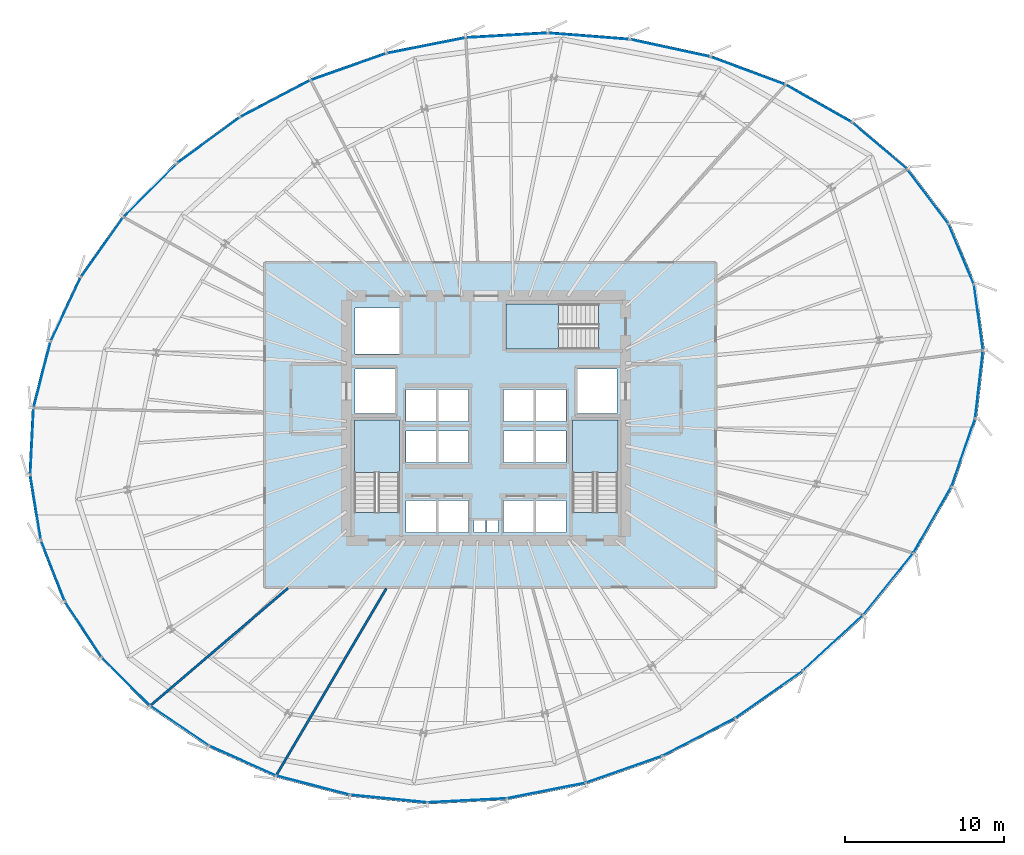
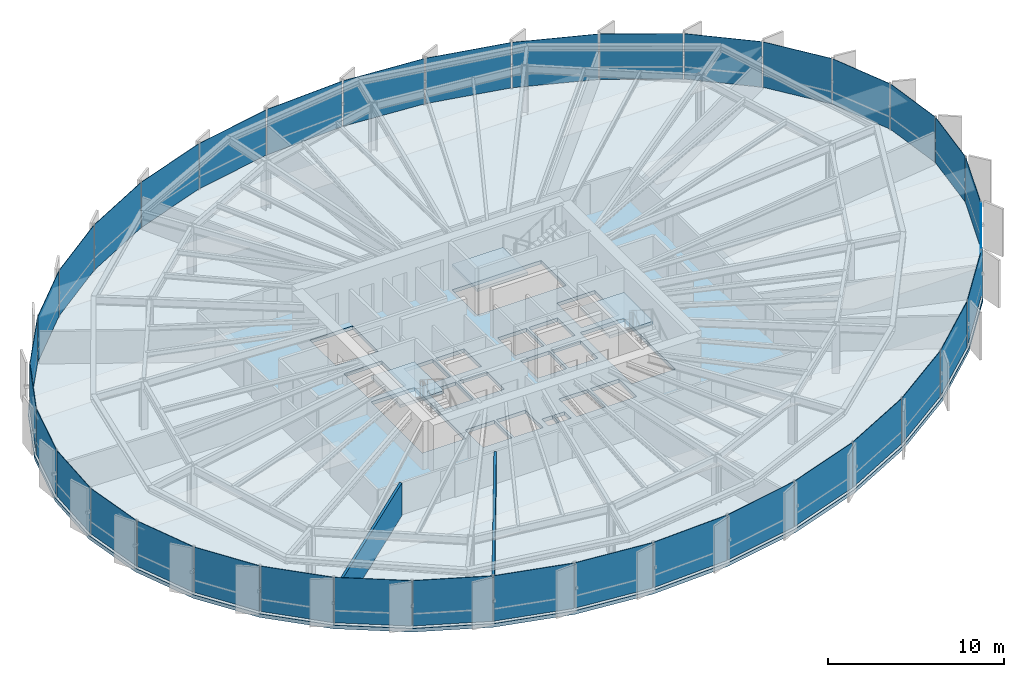
# One storey, part 27 of 35: 36 plates, 4 slabs, 2 walls, 9 elements without a shape of their own.
"""IFC4 building model written with IfcOpenShell, lengths in metres."""

from ifc_helpers import new_model, si_unit, direction, frame, frame_2d, origin, origin_2d, place, context, subcontext, project, spatial, polyline, rectangle, outline, extrude, source, transform, mapped, material, layer, layer_set, type_object, element, aggregate, save


model = new_model("IFC4")

# Units and contexts
model_context = context("Model", 3, precision=1e-05, world=origin(), true_north=direction((0.0, 1.0)))
body_context = subcontext(model_context, "Body", "Model", "MODEL_VIEW")
ifc_project = project(units=[si_unit("LENGTHUNIT", "METRE"), si_unit("AREAUNIT", "SQUARE_METRE"), si_unit("VOLUMEUNIT", "CUBIC_METRE"), si_unit("PLANEANGLEUNIT", "RADIAN"), si_unit("MASSUNIT", "GRAM", prefix="KILO"), si_unit("THERMODYNAMICTEMPERATUREUNIT", "KELVIN")], contexts=[model_context])

# Site, building, storey
site_placement = place(None, origin())
site = spatial("IfcSite", under=ifc_project, at=site_placement, CompositionType="ELEMENT")
building_placement = place(site_placement, origin())
building = spatial("IfcBuilding", under=site, at=building_placement, Name="Kethvar Cultural Tower", CompositionType="ELEMENT")
storey_placement = place(building_placement, frame((0.0, 0.0, 96.39990234375)))
storey = spatial("IfcBuildingStorey", under=building, at=storey_placement, Name="L23", CompositionType="ELEMENT", Elevation=96.39990234375)

# Stair, slab
ifc_material_1 = material(Name="Concrete C40/50", Category="concrete")
stair_type = type_object("IfcStairType", Name="ST-DOGLEG-135", PredefinedType="HALF_TURN_STAIR", material=ifc_material_1)
stair_1_placement = place(storey_placement, origin())
stair_1 = element("IfcStair", 1, at=stair_1_placement, inside=storey, type_object=stair_type, Name="L23 Core Exit Stair 1", PredefinedType="HALF_TURN_STAIR")
ifc_layer_1 = layer(ifc_material_1, 0.199951171875, Name="Concrete C40/50", Category="concrete")
ifc_layer_set_1 = layer_set([ifc_layer_1], Name="Concrete C40/50 (200 mm)")
slab_type_1 = type_object("IfcSlabType", Name="SL-STAIR-LANDING-200", PredefinedType="LANDING", material=ifc_layer_set_1)
slab_1_placement = place(storey_placement, frame((0.0, 0.0, 1.60009765625)))
slab_1 = element("IfcSlab", 2, at=slab_1_placement, type_object=slab_type_1, Name="ST-01 landing 1", PredefinedType="LANDING", context=body_context, shape_type="SweptSolid", body=[
    extrude(outline(polyline([(41.35009765625, 24.3701171875), (41.35009765625, 27.699951171875), (38.489990234375, 27.699951171875), (38.489990234375, 24.3701171875), (41.35009765625, 24.3701171875)])), origin(), (0.0, 0.0, 1.0), 0.199951171875),
])
aggregate(stair_1, [slab_1])

stair_2_placement = place(storey_placement, origin())
stair_2 = element("IfcStair", 3, at=stair_2_placement, inside=storey, type_object=stair_type, Name="L23 Core Exit Stair 2", PredefinedType="HALF_TURN_STAIR")
slab_2_placement = place(storey_placement, frame((0.0, 0.0, 1.60009765625)))
slab_2 = element("IfcSlab", 4, at=slab_2_placement, type_object=slab_type_1, Name="ST-02 landing 1", PredefinedType="LANDING", context=body_context, shape_type="SweptSolid", body=[
    extrude(outline(polyline([(55.110107421875, 24.3701171875), (55.110107421875, 27.699951171875), (52.25, 27.699951171875), (52.25, 24.3701171875), (55.110107421875, 24.3701171875)])), origin(), (0.0, 0.0, 1.0), 0.199951171875),
])
aggregate(stair_2, [slab_2])

stair_3_placement = place(storey_placement, origin())
stair_3 = element("IfcStair", 5, at=stair_3_placement, inside=storey, type_object=stair_type, Name="L23 Core Exit Stair 3", PredefinedType="HALF_TURN_STAIR")
slab_3_placement = place(storey_placement, frame((0.0, 0.0, 1.60009765625)))
slab_3 = element("IfcSlab", 6, at=slab_3_placement, type_object=slab_type_1, Name="ST-03 landing 1", PredefinedType="LANDING", context=body_context, shape_type="SweptSolid", body=[
    extrude(outline(polyline([(51.3798828125, 35.010009765625), (48.050048828125, 35.010009765625), (48.050048828125, 32.14990234375), (51.3798828125, 32.14990234375), (51.3798828125, 35.010009765625)])), origin(), (0.0, 0.0, 1.0), 0.199951171875),
])
aggregate(stair_3, [slab_3])

# Slab
ifc_layer_2 = layer(ifc_material_1, 0.25, Name="Concrete C40/50", Category="concrete")
ifc_layer_set_2 = layer_set([ifc_layer_2], Name="Concrete C40/50 (250 mm)")
slab_type_2 = type_object("IfcSlabType", Name="SL-TOW-250", PredefinedType="FLOOR", material=ifc_layer_set_2)
slab_4_placement = place(storey_placement, frame((0.0, 0.0, -0.25)))
element("IfcSlab", 7, at=slab_4_placement, inside=storey, type_object=slab_type_2, Name="L23 Structural Floor Slab", PredefinedType="FLOOR", context=body_context, shape_type="SweptSolid", body=[
    extrude(outline(polyline([(77.672607421875, 36.245849609375), (76.046142578125, 40.111328125), (73.423828125, 43.573486328125), (69.923583984375, 46.537353515625), (65.70703125, 48.92822265625), (60.96337890625, 50.690185546875), (55.891845703125, 51.78466796875), (50.68310546875, 52.1884765625), (45.50390625, 51.891357421875), (40.48193359375, 50.894775390625), (35.68603515625, 49.20556640625), (31.227783203125, 46.865966796875), (27.242431640625, 43.947021484375), (23.8515625, 40.53759765625), (21.157958984375, 36.7412109375), (19.243408203125, 32.6728515625), (18.166015625, 28.456787109375), (17.958984375, 24.220458984375), (18.628173828125, 20.093017578125), (20.1533203125, 16.19970703125), (22.48779296875, 12.658935546875), (25.561279296875, 9.578125), (29.2802734375, 7.05126953125), (33.53125, 5.154541015625), (38.185546875, 3.946044921875), (43.1015625, 3.462158203125), (48.1298828125, 3.718017578125), (53.117919921875, 4.705322265625), (57.947998046875, 6.40380859375), (62.55712890625, 8.78466796875), (66.8349609375, 11.783447265625), (70.64306640625, 15.30712890625), (73.8291015625, 19.23828125), (76.24169921875, 23.44287109375), (77.74560546875, 27.77587890625), (78.240478515625, 32.090576171875), (77.672607421875, 36.245849609375)]), holes=[polyline([(38.489990234375, 21.85009765625), (38.489990234375, 27.699951171875), (41.35009765625, 27.699951171875), (41.35009765625, 21.85009765625), (38.489990234375, 21.85009765625)]), polyline([(52.25, 21.85009765625), (52.25, 27.699951171875), (55.110107421875, 27.699951171875), (55.110107421875, 21.85009765625), (52.25, 21.85009765625)]), polyline([(53.89990234375, 32.14990234375), (48.050048828125, 32.14990234375), (48.050048828125, 35.010009765625), (53.89990234375, 35.010009765625), (53.89990234375, 32.14990234375)]), polyline([(41.75, 22.60009765625), (43.64990234375, 22.60009765625), (43.64990234375, 20.60009765625), (41.75, 20.60009765625), (41.75, 22.60009765625)]), polyline([(43.800048828125, 22.60009765625), (45.699951171875, 22.60009765625), (45.699951171875, 20.60009765625), (43.800048828125, 20.60009765625), (43.800048828125, 22.60009765625)]), polyline([(47.89990234375, 22.60009765625), (49.800048828125, 22.60009765625), (49.800048828125, 20.60009765625), (47.89990234375, 20.60009765625), (47.89990234375, 22.60009765625)]), polyline([(49.949951171875, 22.60009765625), (51.85009765625, 22.60009765625), (51.85009765625, 20.60009765625), (49.949951171875, 20.60009765625), (49.949951171875, 22.60009765625)]), polyline([(41.75, 27.0), (43.64990234375, 27.0), (43.64990234375, 25.0), (41.75, 25.0), (41.75, 27.0)]), polyline([(43.800048828125, 27.0), (45.699951171875, 27.0), (45.699951171875, 25.0), (43.800048828125, 25.0), (43.800048828125, 27.0)]), polyline([(47.89990234375, 27.0), (49.800048828125, 27.0), (49.800048828125, 25.0), (47.89990234375, 25.0), (47.89990234375, 27.0)]), polyline([(49.949951171875, 27.0), (51.85009765625, 27.0), (51.85009765625, 25.0), (49.949951171875, 25.0), (49.949951171875, 27.0)]), polyline([(41.75, 29.60009765625), (43.64990234375, 29.60009765625), (43.64990234375, 27.60009765625), (41.75, 27.60009765625), (41.75, 29.60009765625)]), polyline([(43.800048828125, 29.60009765625), (45.699951171875, 29.60009765625), (45.699951171875, 27.60009765625), (43.800048828125, 27.60009765625), (43.800048828125, 29.60009765625)]), polyline([(47.89990234375, 29.60009765625), (49.800048828125, 29.60009765625), (49.800048828125, 27.60009765625), (47.89990234375, 27.60009765625), (47.89990234375, 29.60009765625)]), polyline([(49.949951171875, 29.60009765625), (51.85009765625, 29.60009765625), (51.85009765625, 27.60009765625), (49.949951171875, 27.60009765625), (49.949951171875, 29.60009765625)]), polyline([(38.550048828125, 30.89990234375), (41.050048828125, 30.89990234375), (41.050048828125, 28.10009765625), (38.550048828125, 28.10009765625), (38.550048828125, 30.89990234375)]), polyline([(52.550048828125, 30.89990234375), (55.050048828125, 30.89990234375), (55.050048828125, 28.10009765625), (52.550048828125, 28.10009765625), (52.550048828125, 30.89990234375)]), polyline([(38.550048828125, 34.75), (41.35009765625, 34.75), (41.35009765625, 31.85009765625), (38.550048828125, 31.85009765625), (38.550048828125, 34.75)]), polyline([(46.050048828125, 21.35009765625), (46.75, 21.35009765625), (46.75, 20.60009765625), (46.050048828125, 20.60009765625), (46.050048828125, 21.35009765625)]), polyline([(46.85009765625, 21.35009765625), (47.550048828125, 21.35009765625), (47.550048828125, 20.60009765625), (46.85009765625, 20.60009765625), (46.85009765625, 21.35009765625)])]), origin(), (0.0, 0.0, 1.0), 0.25),
])

# Curtain wall, plate
ifc_material_2 = material(Name="Aluminium 6063-T6", Category="aluminium")
ifc_layer_3 = layer(ifc_material_2, 0.179931640625, Name="Aluminium 6063-T6", Category="aluminium")
ifc_layer_set_3 = layer_set([ifc_layer_3], Name="Aluminium 6063-T6 (180 mm)")
curtain_wall_type = type_object("IfcCurtainWallType", Name="CW-SYS-03-Z2", PredefinedType="NOTDEFINED", material=ifc_layer_set_3)
curtain_wall_1_placement = place(storey_placement, origin())
curtain_wall_1 = element("IfcCurtainWall", 8, at=curtain_wall_1_placement, inside=storey, type_object=curtain_wall_type, Name="L23 Curtain Wall Run 01", PredefinedType="NOTDEFINED")
ifc_material_3 = material(Name="Insulated Low-E Solar Glass", Category="glass")
ifc_layer_4 = layer(ifc_material_3, 0.031982421875, Name="Insulated Low-E Solar Glass", Category="glass")
ifc_layer_set_4 = layer_set([ifc_layer_4], Name="Insulated Low-E Solar Glass (32 mm)")
plate_type = type_object("IfcPlateType", Name="CW-SYS-03-Z2-PNL", PredefinedType="CURTAIN_PANEL", material=ifc_layer_set_4)
shared_shape_1 = source(origin(), body_context, "Body", "SweptSolid", [
    extrude(rectangle(XDim=4.107421875, YDim=0.031982421875, at=origin_2d()), origin(), (0.0, 0.0, 1.0), 3.14990234375),
])
plate_1_placement = place(storey_placement, frame((76.75341796875, 38.1337890625, 0.10009765625), z_axis=(0.0, 0.0, 1.0), x_axis=(-0.387837353782, 0.92172782697, 0.0)))
plate_1 = element("IfcPlate", 9, at=plate_1_placement, type_object=plate_type, Name="CW-L23-R01 Vision Glazing Panel 1", PredefinedType="CURTAIN_PANEL", context=body_context, shape_type="MappedRepresentation", body=[
    mapped(shared_shape_1, transform((0.0, 0.0, 0.0), scale=1.0)),
])

curtain_wall_2_placement = place(storey_placement, origin())
curtain_wall_2 = element("IfcCurtainWall", 10, at=curtain_wall_2_placement, inside=storey, type_object=curtain_wall_type, Name="L23 Curtain Wall Run 06", PredefinedType="NOTDEFINED")
plate_2_placement = place(storey_placement, frame((77.842529296875, 34.152587890625, 0.10009765625), z_axis=(0.0, 0.0, 1.0), x_axis=(-0.135369727936, 0.990795153782, 0.0)))
plate_2 = element("IfcPlate", 11, at=plate_2_placement, type_object=plate_type, Name="CW-L23-R06 Vision Glazing Panel 6", PredefinedType="CURTAIN_PANEL", context=body_context, shape_type="MappedRepresentation", body=[
    mapped(shared_shape_1, transform((0.0, 0.0, 0.0), scale=1.0)),
])

# Plate
shared_shape_2 = source(origin(), body_context, "Body", "SweptSolid", [
    extrude(rectangle(XDim=4.256591796875, YDim=0.031982421875, at=origin_2d()), origin(), (0.0, 0.0, 1.0), 3.14990234375),
])
plate_3_placement = place(storey_placement, frame((74.643310546875, 41.77294921875, 0.10009765625), z_axis=(0.0, 0.0, 1.0), x_axis=(-0.603778572347, 0.797152078072, 0.0)))
plate_3 = element("IfcPlate", 12, at=plate_3_placement, type_object=plate_type, Name="CW-L23-R01 Vision Glazing Panel 2", PredefinedType="CURTAIN_PANEL", context=body_context, shape_type="MappedRepresentation", body=[
    mapped(shared_shape_2, transform((0.0, 0.0, 0.0), scale=1.0)),
])

plate_4_placement = place(storey_placement, frame((77.87890625, 29.9462890625, 0.10009765625), z_axis=(0.0, 0.0, 1.0), x_axis=(0.113914169833, 0.993490594777, 0.0)))
plate_4 = element("IfcPlate", 13, at=plate_4_placement, type_object=plate_type, Name="CW-L23-R06 Vision Glazing Panel 5", PredefinedType="CURTAIN_PANEL", context=body_context, shape_type="MappedRepresentation", body=[
    mapped(shared_shape_2, transform((0.0, 0.0, 0.0), scale=1.0)),
])

shared_shape_3 = source(origin(), body_context, "Body", "SweptSolid", [
    extrude(rectangle(XDim=4.5, YDim=0.031982421875, at=origin_2d()), origin(), (0.0, 0.0, 1.0), 3.14990234375),
])
plate_5_placement = place(storey_placement, frame((71.599365234375, 44.9677734375, 0.10009765625), z_axis=(0.0, 0.0, 1.0), x_axis=(-0.763164803653, 0.646203901617, 0.0)))
plate_5 = element("IfcPlate", 14, at=plate_5_placement, type_object=plate_type, Name="CW-L23-R01 Vision Glazing Panel 3", PredefinedType="CURTAIN_PANEL", context=body_context, shape_type="MappedRepresentation", body=[
    mapped(shared_shape_3, transform((0.0, 0.0, 0.0), scale=1.0)),
])

shared_shape_4 = source(origin(), body_context, "Body", "SweptSolid", [
    extrude(rectangle(XDim=4.760986328125, YDim=0.031982421875, at=origin_2d()), origin(), (0.0, 0.0, 1.0), 3.14990234375),
])
plate_6_placement = place(storey_placement, frame((67.758544921875, 47.6328125, 0.10009765625), z_axis=(0.0, 0.0, 1.0), x_axis=(-0.869891211184, 0.493243632199, 0.0)))
plate_6 = element("IfcPlate", 15, at=plate_6_placement, type_object=plate_type, Name="CW-L23-R01 Vision Glazing Panel 4", PredefinedType="CURTAIN_PANEL", context=body_context, shape_type="MappedRepresentation", body=[
    mapped(shared_shape_4, transform((0.0, 0.0, 0.0), scale=1.0)),
])

plate_7_placement = place(storey_placement, frame((74.935791015625, 21.397705078125, 0.10009765625), z_axis=(0.0, 0.0, 1.0), x_axis=(0.497670487543, 0.867366177476, 0.0)))
plate_7 = element("IfcPlate", 16, at=plate_7_placement, type_object=plate_type, Name="CW-L23-R06 Vision Glazing Panel 3", PredefinedType="CURTAIN_PANEL", context=body_context, shape_type="MappedRepresentation", body=[
    mapped(shared_shape_4, transform((0.0, 0.0, 0.0), scale=1.0)),
])

shared_shape_5 = source(origin(), body_context, "Body", "SweptSolid", [
    extrude(rectangle(XDim=4.973876953125, YDim=0.031982421875, at=origin_2d()), origin(), (0.0, 0.0, 1.0), 3.14990234375),
])
plate_8_placement = place(storey_placement, frame((63.295166015625, 49.701416015625, 0.10009765625), z_axis=(0.0, 0.0, 1.0), x_axis=(-0.937427916778, 0.348179408991, 0.0)))
plate_8 = element("IfcPlate", 17, at=plate_8_placement, type_object=plate_type, Name="CW-L23-R01 Vision Glazing Panel 5", PredefinedType="CURTAIN_PANEL", context=body_context, shape_type="MappedRepresentation", body=[
    mapped(shared_shape_5, transform((0.0, 0.0, 0.0), scale=1.0)),
])

shared_shape_6 = source(origin(), body_context, "Body", "SweptSolid", [
    extrude(rectangle(XDim=5.101806640625, YDim=0.031982421875, at=origin_2d()), origin(), (0.0, 0.0, 1.0), 3.14990234375),
])
plate_9_placement = place(storey_placement, frame((58.4033203125, 51.125, 0.10009765625), z_axis=(0.0, 0.0, 1.0), x_axis=(-0.977496965128, 0.210949480125, 0.0)))
plate_9 = element("IfcPlate", 18, at=plate_9_placement, type_object=plate_type, Name="CW-L23-R01 Vision Glazing Panel 6", PredefinedType="CURTAIN_PANEL", context=body_context, shape_type="MappedRepresentation", body=[
    mapped(shared_shape_6, transform((0.0, 0.0, 0.0), scale=1.0)),
])

aggregate(curtain_wall_1, [plate_1, plate_3, plate_5, plate_6, plate_8, plate_9])

# Curtain wall, plates
curtain_wall_3_placement = place(storey_placement, origin())
curtain_wall_3 = element("IfcCurtainWall", 19, at=curtain_wall_3_placement, inside=storey, type_object=curtain_wall_type, Name="L23 Curtain Wall Run 02", PredefinedType="NOTDEFINED")
shared_shape_7 = source(origin(), body_context, "Body", "SweptSolid", [
    extrude(rectangle(XDim=5.137939453125, YDim=0.031982421875, at=origin_2d()), origin(), (0.0, 0.0, 1.0), 3.14990234375),
])
plate_10_placement = place(storey_placement, frame((53.278564453125, 51.871826171875, 0.10009765625), z_axis=(0.0, 0.0, 1.0), x_axis=(-0.997009748736, 0.077275875439, 0.0)))
plate_10 = element("IfcPlate", 20, at=plate_10_placement, type_object=plate_type, Name="CW-L23-R02 Vision Glazing Panel 1", PredefinedType="CURTAIN_PANEL", context=body_context, shape_type="MappedRepresentation", body=[
    mapped(shared_shape_7, transform((0.0, 0.0, 0.0), scale=1.0)),
])
shared_shape_8 = source(origin(), body_context, "Body", "SweptSolid", [
    extrude(rectangle(XDim=5.1015625, YDim=0.031982421875, at=origin_2d()), origin(), (0.0, 0.0, 1.0), 3.14990234375),
])
plate_11_placement = place(storey_placement, frame((48.10009765625, 51.925048828125, 0.10009765625), z_axis=(0.0, 0.0, 1.0), x_axis=(-0.99835985162, -0.057250385792, 0.0)))
plate_11 = element("IfcPlate", 21, at=plate_11_placement, type_object=plate_type, Name="CW-L23-R02 Vision Glazing Panel 2", PredefinedType="CURTAIN_PANEL", context=body_context, shape_type="MappedRepresentation", body=[
    mapped(shared_shape_8, transform((0.0, 0.0, 0.0), scale=1.0)),
])
shared_shape_9 = source(origin(), body_context, "Body", "SweptSolid", [
    extrude(rectangle(XDim=5.033447265625, YDim=0.031982421875, at=origin_2d()), origin(), (0.0, 0.0, 1.0), 3.14990234375),
])
plate_12_placement = place(storey_placement, frame((43.015380859375, 51.2802734375, 0.10009765625), z_axis=(0.0, 0.0, 1.0), x_axis=(-0.9808669136, -0.194679474535, 0.0)))
plate_12 = element("IfcPlate", 22, at=plate_12_placement, type_object=plate_type, Name="CW-L23-R02 Vision Glazing Panel 3", PredefinedType="CURTAIN_PANEL", context=body_context, shape_type="MappedRepresentation", body=[
    mapped(shared_shape_9, transform((0.0, 0.0, 0.0), scale=1.0)),
])

# Curtain wall, plate
curtain_wall_4_placement = place(storey_placement, origin())
curtain_wall_4 = element("IfcCurtainWall", 23, at=curtain_wall_4_placement, inside=storey, type_object=curtain_wall_type, Name="L23 Curtain Wall Run 05", PredefinedType="NOTDEFINED")
plate_13_placement = place(storey_placement, frame((55.494873046875, 5.6630859375, 0.10009765625), z_axis=(0.0, 0.0, 1.0), x_axis=(0.94336750079, 0.331749541753, 0.0)))
plate_13 = element("IfcPlate", 24, at=plate_13_placement, type_object=plate_type, Name="CW-L23-R05 Vision Glazing Panel 4", PredefinedType="CURTAIN_PANEL", context=body_context, shape_type="MappedRepresentation", body=[
    mapped(shared_shape_9, transform((0.0, 0.0, 0.0), scale=1.0)),
])

# Plate
shared_shape_10 = source(origin(), body_context, "Body", "SweptSolid", [
    extrude(rectangle(XDim=4.998291015625, YDim=0.031982421875, at=origin_2d()), origin(), (0.0, 0.0, 1.0), 3.14990234375),
])
plate_14_placement = place(storey_placement, frame((38.122314453125, 49.941650390625, 0.10009765625), z_axis=(0.0, 0.0, 1.0), x_axis=(-0.943205264738, -0.332210518451, 0.0)))
plate_14 = element("IfcPlate", 25, at=plate_14_placement, type_object=plate_type, Name="CW-L23-R02 Vision Glazing Panel 4", PredefinedType="CURTAIN_PANEL", context=body_context, shape_type="MappedRepresentation", body=[
    mapped(shared_shape_10, transform((0.0, 0.0, 0.0), scale=1.0)),
])

plate_15_placement = place(storey_placement, frame((50.6015625, 4.324462890625, 0.10009765625), z_axis=(0.0, 0.0, 1.0), x_axis=(0.980965324091, 0.194182988262, 0.0)))
plate_15 = element("IfcPlate", 26, at=plate_15_placement, type_object=plate_type, Name="CW-L23-R05 Vision Glazing Panel 3", PredefinedType="CURTAIN_PANEL", context=body_context, shape_type="MappedRepresentation", body=[
    mapped(shared_shape_10, transform((0.0, 0.0, 0.0), scale=1.0)),
])

shared_shape_11 = source(origin(), body_context, "Body", "SweptSolid", [
    extrude(rectangle(XDim=4.948486328125, YDim=0.031982421875, at=origin_2d()), origin(), (0.0, 0.0, 1.0), 3.14990234375),
])
plate_16_placement = place(storey_placement, frame((33.51025390625, 47.933837890625, 0.10009765625), z_axis=(0.0, 0.0, 1.0), x_axis=(-0.885482852703, -0.464672053786, 0.0)))
plate_16 = element("IfcPlate", 27, at=plate_16_placement, type_object=plate_type, Name="CW-L23-R02 Vision Glazing Panel 5", PredefinedType="CURTAIN_PANEL", context=body_context, shape_type="MappedRepresentation", body=[
    mapped(shared_shape_11, transform((0.0, 0.0, 0.0), scale=1.0)),
])

plate_17_placement = place(storey_placement, frame((45.60986328125, 3.704833984375, 0.10009765625), z_axis=(0.0, 0.0, 1.0), x_axis=(0.998709625631, 0.050784679495, 0.0)))
plate_17 = element("IfcPlate", 28, at=plate_17_placement, type_object=plate_type, Name="CW-L23-R05 Vision Glazing Panel 2", PredefinedType="CURTAIN_PANEL", context=body_context, shape_type="MappedRepresentation", body=[
    mapped(shared_shape_11, transform((0.0, 0.0, 0.0), scale=1.0)),
])

shared_shape_12 = source(origin(), body_context, "Body", "SweptSolid", [
    extrude(rectangle(XDim=4.853515625, YDim=0.031982421875, at=origin_2d()), origin(), (0.0, 0.0, 1.0), 3.14990234375),
])
plate_18_placement = place(storey_placement, frame((29.302978515625, 45.313720703125, 0.10009765625), z_axis=(0.0, 0.0, 1.0), x_axis=(-0.806764415522, -0.590873233315, 0.0)))
plate_18 = element("IfcPlate", 29, at=plate_18_placement, type_object=plate_type, Name="CW-L23-R02 Vision Glazing Panel 6", PredefinedType="CURTAIN_PANEL", context=body_context, shape_type="MappedRepresentation", body=[
    mapped(shared_shape_12, transform((0.0, 0.0, 0.0), scale=1.0)),
])

aggregate(curtain_wall_3, [plate_10, plate_11, plate_12, plate_14, plate_16, plate_18])

# Curtain wall, plate
curtain_wall_5_placement = place(storey_placement, origin())
curtain_wall_5 = element("IfcCurtainWall", 30, at=curtain_wall_5_placement, inside=storey, type_object=curtain_wall_type, Name="L23 Curtain Wall Run 03", PredefinedType="NOTDEFINED")
shared_shape_13 = source(origin(), body_context, "Body", "SweptSolid", [
    extrude(rectangle(XDim=4.722412109375, YDim=0.031982421875, at=origin_2d()), origin(), (0.0, 0.0, 1.0), 3.14990234375),
])
plate_19_placement = place(storey_placement, frame((25.628662109375, 42.1611328125, 0.10009765625), z_axis=(0.0, 0.0, 1.0), x_axis=(-0.705166538337, -0.709041714717, 0.0)))
plate_19 = element("IfcPlate", 31, at=plate_19_placement, type_object=plate_type, Name="CW-L23-R03 Vision Glazing Panel 1", PredefinedType="CURTAIN_PANEL", context=body_context, shape_type="MappedRepresentation", body=[
    mapped(shared_shape_13, transform((0.0, 0.0, 0.0), scale=1.0)),
])

curtain_wall_6_placement = place(storey_placement, origin())
curtain_wall_6 = element("IfcCurtainWall", 32, at=curtain_wall_6_placement, inside=storey, type_object=curtain_wall_type, Name="L23 Curtain Wall Run 04", PredefinedType="NOTDEFINED")
plate_20_placement = place(storey_placement, frame((35.88720703125, 4.66162109375, 0.10009765625), z_axis=(0.0, 0.0, 1.0), x_axis=(0.967902460486, -0.251326136695, 0.0)))
plate_20 = element("IfcPlate", 33, at=plate_20_placement, type_object=plate_type, Name="CW-L23-R04 Vision Glazing Panel 6", PredefinedType="CURTAIN_PANEL", context=body_context, shape_type="MappedRepresentation", body=[
    mapped(shared_shape_13, transform((0.0, 0.0, 0.0), scale=1.0)),
])

# Plate
shared_shape_14 = source(origin(), body_context, "Body", "SweptSolid", [
    extrude(rectangle(XDim=4.568603515625, YDim=0.031982421875, at=origin_2d()), origin(), (0.0, 0.0, 1.0), 3.14990234375),
])
plate_21_placement = place(storey_placement, frame((22.5986328125, 38.57275390625, 0.10009765625), z_axis=(0.0, 0.0, 1.0), x_axis=(-0.578669262718, -0.815562311774, 0.0)))
plate_21 = element("IfcPlate", 34, at=plate_21_placement, type_object=plate_type, Name="CW-L23-R03 Vision Glazing Panel 2", PredefinedType="CURTAIN_PANEL", context=body_context, shape_type="MappedRepresentation", body=[
    mapped(shared_shape_14, transform((0.0, 0.0, 0.0), scale=1.0)),
])

plate_22_placement = place(storey_placement, frame((31.45263671875, 6.2080078125, 0.10009765625), z_axis=(0.0, 0.0, 1.0), x_axis=(0.913225725703, -0.407454014479, 0.0)))
plate_22 = element("IfcPlate", 35, at=plate_22_placement, type_object=plate_type, Name="CW-L23-R04 Vision Glazing Panel 5", PredefinedType="CURTAIN_PANEL", context=body_context, shape_type="MappedRepresentation", body=[
    mapped(shared_shape_14, transform((0.0, 0.0, 0.0), scale=1.0)),
])

shared_shape_15 = source(origin(), body_context, "Body", "SweptSolid", [
    extrude(rectangle(XDim=4.409912109375, YDim=0.031982421875, at=origin_2d()), origin(), (0.0, 0.0, 1.0), 3.14990234375),
])
plate_23_placement = place(storey_placement, frame((20.3046875, 34.657958984375, 0.10009765625), z_axis=(0.0, 0.0, 1.0), x_axis=(-0.425810875728, -0.904812189414, 0.0)))
plate_23 = element("IfcPlate", 36, at=plate_23_placement, type_object=plate_type, Name="CW-L23-R03 Vision Glazing Panel 3", PredefinedType="CURTAIN_PANEL", context=body_context, shape_type="MappedRepresentation", body=[
    mapped(shared_shape_15, transform((0.0, 0.0, 0.0), scale=1.0)),
])

shared_shape_16 = source(origin(), body_context, "Body", "SweptSolid", [
    extrude(rectangle(XDim=4.265380859375, YDim=0.031982421875, at=origin_2d()), origin(), (0.0, 0.0, 1.0), 3.14990234375),
])
plate_24_placement = place(storey_placement, frame((18.816162109375, 30.536376953125, 0.10009765625), z_axis=(0.0, 0.0, 1.0), x_axis=(-0.247557084719, -0.968873309471, 0.0)))
plate_24 = element("IfcPlate", 37, at=plate_24_placement, type_object=plate_type, Name="CW-L23-R03 Vision Glazing Panel 4", PredefinedType="CURTAIN_PANEL", context=body_context, shape_type="MappedRepresentation", body=[
    mapped(shared_shape_16, transform((0.0, 0.0, 0.0), scale=1.0)),
])

plate_25_placement = place(storey_placement, frame((24.10595703125, 11.19970703125, 0.10009765625), z_axis=(0.0, 0.0, 1.0), x_axis=(0.706267072164, -0.707945494213, 0.0)))
plate_25 = element("IfcPlate", 38, at=plate_25_placement, type_object=plate_type, Name="CW-L23-R04 Vision Glazing Panel 3", PredefinedType="CURTAIN_PANEL", context=body_context, shape_type="MappedRepresentation", body=[
    mapped(shared_shape_16, transform((0.0, 0.0, 0.0), scale=1.0)),
])

shared_shape_17 = source(origin(), body_context, "Body", "SweptSolid", [
    extrude(rectangle(XDim=4.15478515625, YDim=0.031982421875, at=origin_2d()), origin(), (0.0, 0.0, 1.0), 3.14990234375),
])
plate_26_placement = place(storey_placement, frame((18.177490234375, 26.3330078125, 0.10009765625), z_axis=(0.0, 0.0, 1.0), x_axis=(-0.048849769796, -0.998806137341, 0.0)))
plate_26 = element("IfcPlate", 39, at=plate_26_placement, type_object=plate_type, Name="CW-L23-R03 Vision Glazing Panel 5", PredefinedType="CURTAIN_PANEL", context=body_context, shape_type="MappedRepresentation", body=[
    mapped(shared_shape_17, transform((0.0, 0.0, 0.0), scale=1.0)),
])

plate_27_placement = place(storey_placement, frame((21.41650390625, 14.49267578125, 0.10009765625), z_axis=(0.0, 0.0, 1.0), x_axis=(0.550480740085, -0.834847863263, 0.0)))
plate_27 = element("IfcPlate", 40, at=plate_27_placement, type_object=plate_type, Name="CW-L23-R04 Vision Glazing Panel 2", PredefinedType="CURTAIN_PANEL", context=body_context, shape_type="MappedRepresentation", body=[
    mapped(shared_shape_17, transform((0.0, 0.0, 0.0), scale=1.0)),
])

shared_shape_18 = source(origin(), body_context, "Body", "SweptSolid", [
    extrude(rectangle(XDim=4.09521484375, YDim=0.031982421875, at=origin_2d()), origin(), (0.0, 0.0, 1.0), 3.14990234375),
])
plate_28_placement = place(storey_placement, frame((18.406982421875, 22.17529296875, 0.10009765625), z_axis=(0.0, 0.0, 1.0), x_axis=(0.160036244721, -0.987111138817, 0.0)))
plate_28 = element("IfcPlate", 41, at=plate_28_placement, type_object=plate_type, Name="CW-L23-R03 Vision Glazing Panel 6", PredefinedType="CURTAIN_PANEL", context=body_context, shape_type="MappedRepresentation", body=[
    mapped(shared_shape_18, transform((0.0, 0.0, 0.0), scale=1.0)),
])

aggregate(curtain_wall_5, [plate_19, plate_21, plate_23, plate_24, plate_26, plate_28])

shared_shape_19 = source(origin(), body_context, "Body", "SweptSolid", [
    extrude(rectangle(XDim=4.0947265625, YDim=0.031982421875, at=origin_2d()), origin(), (0.0, 0.0, 1.0), 3.14990234375),
])
plate_29_placement = place(storey_placement, frame((19.497802734375, 18.188232421875, 0.10009765625), z_axis=(0.0, 0.0, 1.0), x_axis=(0.364746780865, -0.931106753197, 0.0)))
plate_29 = element("IfcPlate", 42, at=plate_29_placement, type_object=plate_type, Name="CW-L23-R04 Vision Glazing Panel 1", PredefinedType="CURTAIN_PANEL", context=body_context, shape_type="MappedRepresentation", body=[
    mapped(shared_shape_19, transform((0.0, 0.0, 0.0), scale=1.0)),
])

shared_shape_20 = source(origin(), body_context, "Body", "SweptSolid", [
    extrude(rectangle(XDim=4.40966796875, YDim=0.031982421875, at=origin_2d()), origin(), (0.0, 0.0, 1.0), 3.14990234375),
])
plate_30_placement = place(storey_placement, frame((27.485595703125, 8.409912109375, 0.10009765625), z_axis=(0.0, 0.0, 1.0), x_axis=(0.827110003758, -0.562040071244, 0.0)))
plate_30 = element("IfcPlate", 43, at=plate_30_placement, type_object=plate_type, Name="CW-L23-R04 Vision Glazing Panel 4", PredefinedType="CURTAIN_PANEL", context=body_context, shape_type="MappedRepresentation", body=[
    mapped(shared_shape_20, transform((0.0, 0.0, 0.0), scale=1.0)),
])

aggregate(curtain_wall_6, [plate_29, plate_27, plate_25, plate_30, plate_22, plate_20])

shared_shape_21 = source(origin(), body_context, "Body", "SweptSolid", [
    extrude(rectangle(XDim=4.853271484375, YDim=0.031982421875, at=origin_2d()), origin(), (0.0, 0.0, 1.0), 3.14990234375),
])
plate_31_placement = place(storey_placement, frame((40.65478515625, 3.818603515625, 0.10009765625), z_axis=(0.0, 0.0, 1.0), x_axis=(0.995191567134, -0.09794766309, 0.0)))
plate_31 = element("IfcPlate", 44, at=plate_31_placement, type_object=plate_type, Name="CW-L23-R05 Vision Glazing Panel 1", PredefinedType="CURTAIN_PANEL", context=body_context, shape_type="MappedRepresentation", body=[
    mapped(shared_shape_21, transform((0.0, 0.0, 0.0), scale=1.0)),
])

shared_shape_22 = source(origin(), body_context, "Body", "SweptSolid", [
    extrude(rectangle(XDim=5.101318359375, YDim=0.031982421875, at=origin_2d()), origin(), (0.0, 0.0, 1.0), 3.14990234375),
])
plate_32_placement = place(storey_placement, frame((60.19970703125, 7.6962890625, 0.10009765625), z_axis=(0.0, 0.0, 1.0), x_axis=(0.888473099799, 0.458928699183, 0.0)))
plate_32 = element("IfcPlate", 45, at=plate_32_placement, type_object=plate_type, Name="CW-L23-R05 Vision Glazing Panel 5", PredefinedType="CURTAIN_PANEL", context=body_context, shape_type="MappedRepresentation", body=[
    mapped(shared_shape_22, transform((0.0, 0.0, 0.0), scale=1.0)),
])

shared_shape_23 = source(origin(), body_context, "Body", "SweptSolid", [
    extrude(rectangle(XDim=5.1376953125, YDim=0.031982421875, at=origin_2d()), origin(), (0.0, 0.0, 1.0), 3.14990234375),
])
plate_33_placement = place(storey_placement, frame((64.6298828125, 10.37841796875, 0.10009765625), z_axis=(0.0, 0.0, 1.0), x_axis=(0.818831571033, 0.574033847678, 0.0)))
plate_33 = element("IfcPlate", 46, at=plate_33_placement, type_object=plate_type, Name="CW-L23-R05 Vision Glazing Panel 6", PredefinedType="CURTAIN_PANEL", context=body_context, shape_type="MappedRepresentation", body=[
    mapped(shared_shape_23, transform((0.0, 0.0, 0.0), scale=1.0)),
])

aggregate(curtain_wall_4, [plate_31, plate_17, plate_15, plate_13, plate_32, plate_33])

shared_shape_24 = source(origin(), body_context, "Body", "SweptSolid", [
    extrude(rectangle(XDim=5.10205078125, YDim=0.031982421875, at=origin_2d()), origin(), (0.0, 0.0, 1.0), 3.14990234375),
])
plate_34_placement = place(storey_placement, frame((68.660888671875, 13.629638671875, 0.10009765625), z_axis=(0.0, 0.0, 1.0), x_axis=(0.73399069714, 0.679159522139, 0.0)))
plate_34 = element("IfcPlate", 47, at=plate_34_placement, type_object=plate_type, Name="CW-L23-R06 Vision Glazing Panel 1", PredefinedType="CURTAIN_PANEL", context=body_context, shape_type="MappedRepresentation", body=[
    mapped(shared_shape_24, transform((0.0, 0.0, 0.0), scale=1.0)),
])

shared_shape_25 = source(origin(), body_context, "Body", "SweptSolid", [
    extrude(rectangle(XDim=4.9736328125, YDim=0.031982421875, at=origin_2d()), origin(), (0.0, 0.0, 1.0), 3.14990234375),
])
plate_35_placement = place(storey_placement, frame((72.14697265625, 17.34521484375, 0.10009765625), z_axis=(0.0, 0.0, 1.0), x_axis=(0.629645865969, 0.776882284177, 0.0)))
plate_35 = element("IfcPlate", 48, at=plate_35_placement, type_object=plate_type, Name="CW-L23-R06 Vision Glazing Panel 2", PredefinedType="CURTAIN_PANEL", context=body_context, shape_type="MappedRepresentation", body=[
    mapped(shared_shape_25, transform((0.0, 0.0, 0.0), scale=1.0)),
])

shared_shape_26 = source(origin(), body_context, "Body", "SweptSolid", [
    extrude(rectangle(XDim=4.500244140625, YDim=0.031982421875, at=origin_2d()), origin(), (0.0, 0.0, 1.0), 3.14990234375),
])
plate_36_placement = place(storey_placement, frame((76.885009765625, 25.64697265625, 0.10009765625), z_axis=(0.0, 0.0, 1.0), x_axis=(0.327926982962, 0.944703071788, 0.0)))
plate_36 = element("IfcPlate", 49, at=plate_36_placement, type_object=plate_type, Name="CW-L23-R06 Vision Glazing Panel 4", PredefinedType="CURTAIN_PANEL", context=body_context, shape_type="MappedRepresentation", body=[
    mapped(shared_shape_26, transform((0.0, 0.0, 0.0), scale=1.0)),
])

aggregate(curtain_wall_2, [plate_34, plate_35, plate_7, plate_36, plate_4, plate_2])

# Walls
ifc_material_4 = material(Name="Gypsum Acoustic Partition")
ifc_layer_5 = layer(ifc_material_4, 0.14990234375, Name="Gypsum Acoustic Partition")
ifc_layer_set_5 = layer_set([ifc_layer_5], Name="Gypsum Acoustic Partition (150 mm)")
wall_type = type_object("IfcWallType", Name="WL-PART-150", PredefinedType="PARTITIONING", material=ifc_layer_set_5)
wall_1_placement = place(storey_placement, frame((34.314208984375, 17.088134765625, 0.0), z_axis=(0.0, 0.0, 1.0), x_axis=(-0.760649717053, -0.649162543549, 0.0)))
element("IfcWall", 50, at=wall_1_placement, inside=storey, type_object=wall_type, Name="L23 Radial Partition Wall 01", PredefinedType="PARTITIONING", context=body_context, shape_type="SweptSolid", body=[
    extrude(rectangle(XDim=11.317138671875, YDim=0.14990234375, at=frame_2d((5.65869140625, 0.0))), origin(), (0.0, 0.0, 1.0), 2.280029296875),
])
wall_2_placement = place(storey_placement, frame((40.513427734375, 17.071044921875, 0.0), z_axis=(0.0, 0.0, 1.0), x_axis=(-0.507501886908, -0.861650645439, 0.0)))
element("IfcWall", 51, at=wall_2_placement, inside=storey, type_object=wall_type, Name="L23 Radial Partition Wall 02", PredefinedType="PARTITIONING", context=body_context, shape_type="SweptSolid", body=[
    extrude(rectangle(XDim=13.595703125, YDim=0.14990234375, at=frame_2d((6.7978515625, 0.0))), origin(), (0.0, 0.0, 1.0), 2.280029296875),
])

save(model, "model.ifc")
